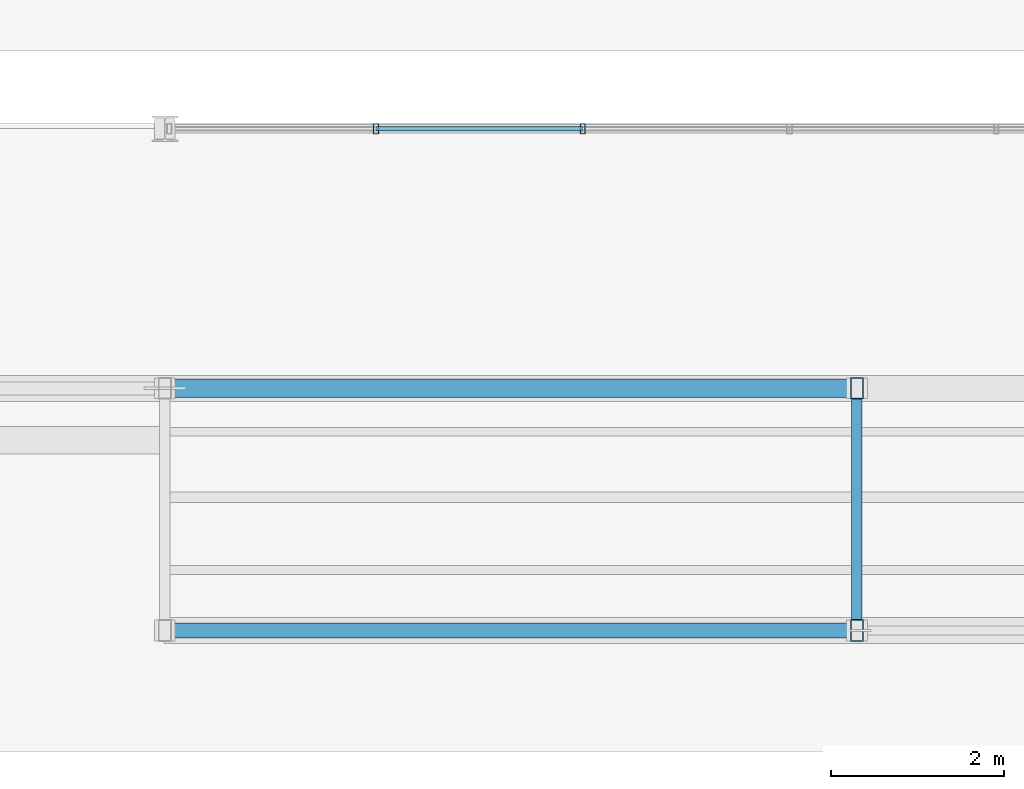
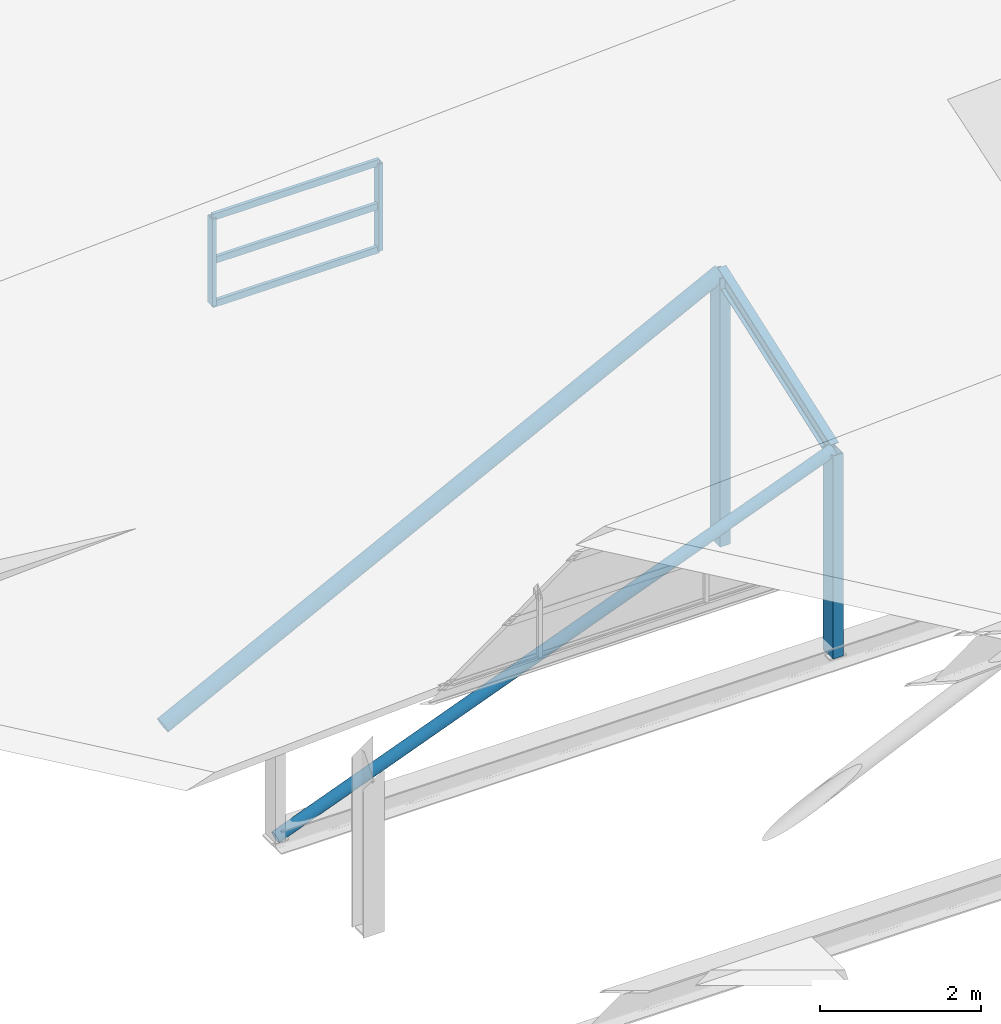
# One storey, part 29 of 141: 10 members, 1 element without a shape of its own.
"""IFC4 building model written with IfcOpenShell, lengths in metres."""

from ifc_helpers import new_model, si_unit, direction, frame, origin, origin_2d, place, context, subcontext, project, spatial, hollow_rectangle, hollow_circle, i_section, extrude, material, material_profile, profile_set, type_object, element, aggregate, save


model = new_model("IFC4")

# Units and contexts
model_context = context("Model", 3, precision=1e-05, world=origin(), true_north=direction((0.0, 1.0)))
body_context = subcontext(model_context, "Body", "Model", "MODEL_VIEW")
ifc_project = project(units=[si_unit("LENGTHUNIT", "METRE"), si_unit("AREAUNIT", "SQUARE_METRE"), si_unit("VOLUMEUNIT", "CUBIC_METRE"), si_unit("PLANEANGLEUNIT", "RADIAN"), si_unit("MASSUNIT", "GRAM", prefix="KILO")], contexts=[model_context])

# Site, building, storey
site_placement = place(None, origin())
site = spatial("IfcSite", under=ifc_project, at=site_placement, CompositionType="ELEMENT")
building_placement = place(site_placement, origin())
building = spatial("IfcBuilding", under=site, at=building_placement, Name="Sundkrona Museum", CompositionType="ELEMENT")
storey_placement = place(building_placement, frame((0.0, 0.0, 34.0)))
storey = spatial("IfcBuildingStorey", under=building, at=storey_placement, Name="RF", CompositionType="ELEMENT", Elevation=34.0)

# Curtain wall, members
ifc_material_1 = material(Name="Unitised Aluminium-Steel and Ceramic-Clad Curtain Walling", Category="steel")
curtain_wall_type = type_object("IfcCurtainWallType", Name="CW-SW-240x13", PredefinedType="NOTDEFINED", material=ifc_material_1)
curtain_wall_placement = place(storey_placement, origin())
curtain_wall = element("IfcCurtainWall", 1, at=curtain_wall_placement, inside=storey, type_object=curtain_wall_type, Name="Sawtooth Bay 4 West North-Light Clerestory", PredefinedType="NOTDEFINED")
ifc_material_2 = material(Name="Aluminium EN AW-6060 T66", Category="aluminium")
ifc_material_profile_1 = material_profile(ifc_material_2, hollow_rectangle(XDim=0.06005859375, YDim=0.1201171875, WallThickness=0.0048828125, at=origin_2d()), Name="RHS 120x60x5.0")
ifc_profile_set_1 = profile_set([ifc_material_profile_1], Name="Aluminium EN AW-6060 T66")
member_type_1 = type_object("IfcMemberType", Name="ML-120", PredefinedType="MULLION", material=ifc_profile_set_1)
member_1_placement = place(storey_placement, frame((122.43994140625, 26.5, 3.472900390625), z_axis=(0.0, 0.0, 1.0), x_axis=(1.0, 0.0, 0.0)))
member_1 = element("IfcMember", 2, at=member_1_placement, type_object=member_type_1, Name="CW-RF-SAW-04W Mullion 02", PredefinedType="MULLION", context=body_context, shape_type="SweptSolid", body=[
    extrude(hollow_rectangle(XDim=0.06005859375, YDim=0.1201171875, WallThickness=0.0048828125, at=origin_2d()), origin(), (0.0, 0.0, 1.0), 1.320068359375),
])
member_2_placement = place(storey_placement, frame((124.830078125, 26.5, 3.472900390625), z_axis=(0.0, 0.0, 1.0), x_axis=(1.0, 0.0, 0.0)))
member_2 = element("IfcMember", 3, at=member_2_placement, type_object=member_type_1, Name="CW-RF-SAW-04W Mullion 03", PredefinedType="MULLION", context=body_context, shape_type="SweptSolid", body=[
    extrude(hollow_rectangle(XDim=0.06005859375, YDim=0.1201171875, WallThickness=0.0048828125, at=origin_2d()), origin(), (0.0, 0.0, 1.0), 1.320068359375),
])

# Members
ifc_material_3 = material(Name="Steel S355J2", Category="steel")
ifc_material_profile_2 = material_profile(ifc_material_3, i_section(OverallWidth=0.1201171875, OverallDepth=0.239990234375, WebThickness=0.006103515625, FlangeThickness=0.009765625, FilletRadius=0.014892578125, at=origin_2d()), Name="IPE 240")
ifc_profile_set_2 = profile_set([ifc_material_profile_2], Name="Steel S355J2")
member_type_2 = type_object("IfcMemberType", Name="PR-IPE240", PredefinedType="PURLIN", material=ifc_profile_set_2)
member_3_placement = place(storey_placement, frame((128.0, 20.699951171875, 2.82958984375), z_axis=(0.0, 0.942729033287, 0.333559544605), x_axis=(-1.0, 0.0, 0.0)))
element("IfcMember", 4, at=member_3_placement, inside=storey, type_object=member_type_2, Name="RFS-1 Sawtooth Bay 4 Transverse Rafter 2", PredefinedType="PURLIN", context=body_context, shape_type="SweptSolid", body=[
    extrude(i_section(OverallWidth=0.1201171875, OverallDepth=0.239990234375, WebThickness=0.006103515625, FlangeThickness=0.009765625, FilletRadius=0.014892578125, at=origin_2d()), origin(), (0.0, 0.0, 1.0), 2.97021484375),
])
ifc_material_profile_3 = material_profile(ifc_material_3, hollow_circle(Radius=0.084228515625, WallThickness=0.008056640625, at=origin_2d()), Name="CHS 168.3x8.0")
ifc_profile_set_3 = profile_set([ifc_material_profile_3], Name="Steel S355J2")
member_type_3 = type_object("IfcMemberType", Name="ST-CHS168", PredefinedType="STRUT", material=ifc_profile_set_3)
member_4_placement = place(storey_placement, frame((120.0, 20.699951171875, -0.25), z_axis=(0.93324133496, 0.0, 0.359250067114), x_axis=(0.0, 1.0, 0.0)))
element("IfcMember", 5, at=member_4_placement, inside=storey, type_object=member_type_3, Name="RFS-1 Sawtooth Valley Truss 4 Web Strut 1", PredefinedType="STRUT", context=body_context, shape_type="SweptSolid", body=[
    extrude(hollow_circle(Radius=0.084228515625, WallThickness=0.008056640625, at=origin_2d()), origin(), (0.0, 0.0, 1.0), 8.572265625),
])
ifc_material_profile_4 = material_profile(ifc_material_3, hollow_circle(Radius=0.109619140625, WallThickness=0.010009765625, at=origin_2d()), Name="CHS 219.1x10.0")
ifc_profile_set_4 = profile_set([ifc_material_profile_4], Name="Steel S355J2")
member_type_4 = type_object("IfcMemberType", Name="ST-CHS219", PredefinedType="STRUT", material=ifc_profile_set_4)
member_5_placement = place(storey_placement, frame((120.0, 23.5, -0.25), z_axis=(0.891271859261, 0.0, 0.453469373706), x_axis=(0.0, 1.0, 0.0)))
element("IfcMember", 6, at=member_5_placement, inside=storey, type_object=member_type_4, Name="RFS-1 Sawtooth Truss 4 Web Strut 1", PredefinedType="STRUT", context=body_context, shape_type="SweptSolid", body=[
    extrude(hollow_circle(Radius=0.109619140625, WallThickness=0.010009765625, at=origin_2d()), origin(), (0.0, 0.0, 1.0), 8.975830078125),
])
ifc_material_profile_5 = material_profile(ifc_material_3, hollow_rectangle(XDim=0.14990234375, YDim=0.25, WallThickness=0.010009765625, at=origin_2d()), Name="RHS 250x150x10.0")
ifc_profile_set_5 = profile_set([ifc_material_profile_5], Name="Steel S355J2")
member_type_5 = type_object("IfcMemberType", Name="ST-RHS250", PredefinedType="STRUT", material=ifc_profile_set_5)
member_6_placement = place(storey_placement, frame((128.0, 23.5, -0.25), z_axis=(0.0, 0.0, 1.0), x_axis=(1.0, 0.0, 0.0)))
element("IfcMember", 7, at=member_6_placement, inside=storey, type_object=member_type_5, Name="RFS-1 Sawtooth Truss 4 Vertical Post 2", PredefinedType="STRUT", context=body_context, shape_type="SweptSolid", body=[
    extrude(hollow_rectangle(XDim=0.14990234375, YDim=0.25, WallThickness=0.010009765625, at=origin_2d()), origin(), (0.0, 0.0, 1.0), 4.0703125),
])
member_7_placement = place(storey_placement, frame((128.0, 20.699951171875, -0.25), z_axis=(0.0, 0.0, 1.0), x_axis=(1.0, 0.0, 0.0)))
element("IfcMember", 8, at=member_7_placement, inside=storey, type_object=member_type_5, Name="RFS-1 Sawtooth Bay 4 Valley Post 2", PredefinedType="STRUT", context=body_context, shape_type="SweptSolid", body=[
    extrude(hollow_rectangle(XDim=0.14990234375, YDim=0.25, WallThickness=0.010009765625, at=origin_2d()), origin(), (0.0, 0.0, 1.0), 3.07958984375),
])

# Member
ifc_material_profile_6 = material_profile(ifc_material_2, hollow_rectangle(XDim=0.050048828125, YDim=0.10009765625, WallThickness=0.0048828125, at=origin_2d()), Name="RHS 100x50x5.0")
ifc_profile_set_6 = profile_set([ifc_material_profile_6], Name="Aluminium EN AW-6060 T66")
member_type_6 = type_object("IfcMemberType", Name="TR-100", PredefinedType="USERDEFINED", material=ifc_profile_set_6)
member_8_placement = place(storey_placement, frame((122.43994140625, 26.5, 3.472900390625), z_axis=(1.0, 0.0, 0.0), x_axis=(0.0, 1.0, 0.0)))
member_8 = element("IfcMember", 9, at=member_8_placement, type_object=member_type_6, Name="CW-RF-SAW-04W Transom 04", ObjectType="TRANSOM", PredefinedType="USERDEFINED", context=body_context, shape_type="SweptSolid", body=[
    extrude(hollow_rectangle(XDim=0.050048828125, YDim=0.10009765625, WallThickness=0.0048828125, at=origin_2d()), origin(), (0.0, 0.0, 1.0), 2.39013671875),
])

member_9_placement = place(storey_placement, frame((122.43994140625, 26.5, 4.133056640625), z_axis=(1.0, 0.0, 0.0), x_axis=(0.0, 1.0, 0.0)))
member_9 = element("IfcMember", 10, at=member_9_placement, type_object=member_type_6, Name="CW-RF-SAW-04W Transom 05", ObjectType="TRANSOM", PredefinedType="USERDEFINED", context=body_context, shape_type="SweptSolid", body=[
    extrude(hollow_rectangle(XDim=0.050048828125, YDim=0.10009765625, WallThickness=0.0048828125, at=origin_2d()), origin(), (0.0, 0.0, 1.0), 2.39013671875),
])

member_10_placement = place(storey_placement, frame((122.43994140625, 26.5, 4.79296875), z_axis=(1.0, 0.0, 0.0), x_axis=(0.0, 1.0, 0.0)))
member_10 = element("IfcMember", 11, at=member_10_placement, type_object=member_type_6, Name="CW-RF-SAW-04W Transom 06", ObjectType="TRANSOM", PredefinedType="USERDEFINED", context=body_context, shape_type="SweptSolid", body=[
    extrude(hollow_rectangle(XDim=0.050048828125, YDim=0.10009765625, WallThickness=0.0048828125, at=origin_2d()), origin(), (0.0, 0.0, 1.0), 2.39013671875),
])

aggregate(curtain_wall, [member_1, member_2, member_8, member_9, member_10])

save(model, "model.ifc")
